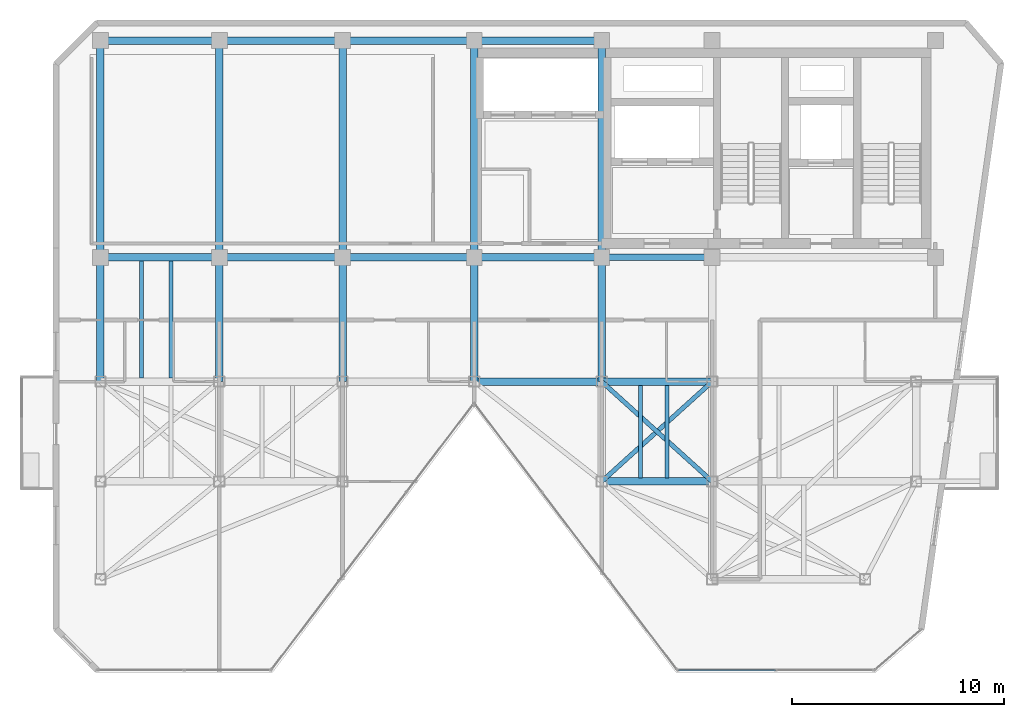
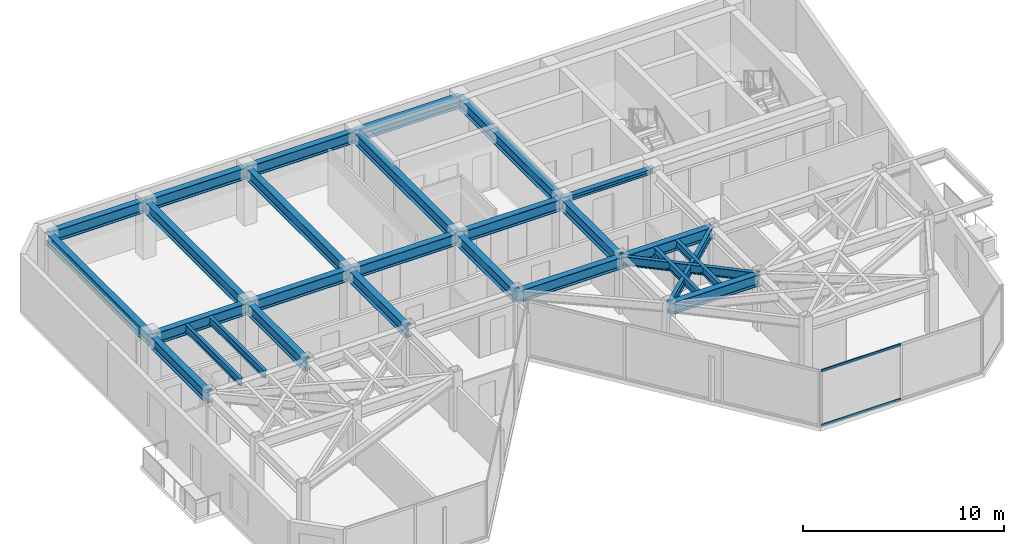
# One storey, part 8 of 17: 28 beams, 2 members, 1 element without a shape of its own.
"""IFC4 building model written with IfcOpenShell, lengths in metres."""

from ifc_helpers import new_model, si_unit, direction, frame, origin, origin_2d, place, context, subcontext, project, spatial, hollow_rectangle, i_section, extrude, material, layer, layer_set, material_profile, profile_set, type_object, element, aggregate, save


model = new_model("IFC4")

# Units and contexts
model_context = context("Model", 3, precision=1e-05, world=origin(), true_north=direction((0.0, 1.0)))
body_context = subcontext(model_context, "Body", "Model", "MODEL_VIEW")
ifc_project = project(units=[si_unit("LENGTHUNIT", "METRE"), si_unit("AREAUNIT", "SQUARE_METRE"), si_unit("VOLUMEUNIT", "CUBIC_METRE"), si_unit("PLANEANGLEUNIT", "RADIAN"), si_unit("MASSUNIT", "GRAM", prefix="KILO")], contexts=[model_context])

# Site, building, storey
site_placement = place(None, origin())
site = spatial("IfcSite", under=ifc_project, at=site_placement, CompositionType="ELEMENT")
building_placement = place(site_placement, origin())
building = spatial("IfcBuilding", under=site, at=building_placement, Name="Kravanh Interchange Tower", CompositionType="ELEMENT")
storey_placement = place(building_placement, frame((0.0, 0.0, 249.0)))
storey = spatial("IfcBuildingStorey", under=building, at=storey_placement, Name="L60", CompositionType="ELEMENT", Elevation=249.0)

# Curtain wall, members
ifc_material_1 = material(Name="Anodised Bronze Aluminium", Category="aluminium")
ifc_layer = layer(ifc_material_1, 0.179931640625)
ifc_layer_set = layer_set([ifc_layer], Name="Unitised Curtain Wall System CW-HTL Luxury Hotel")
curtain_wall_type = type_object("IfcCurtainWallType", Name="Unitised Curtain Wall System CW-HTL Luxury Hotel", PredefinedType="NOTDEFINED", material=ifc_layer_set)
curtain_wall_placement = place(storey_placement, origin())
curtain_wall = element("IfcCurtainWall", 1, at=curtain_wall_placement, inside=storey, type_object=curtain_wall_type, Name="L60 Unitised Curtain Wall CW-L60-02", PredefinedType="NOTDEFINED")
ifc_material_2 = material(Name="Anodised Bronze Aluminium", Category="aluminium")
ifc_material_profile_1 = material_profile(ifc_material_2, hollow_rectangle(XDim=0.06005859375, YDim=0.139892578125, WallThickness=0.00390625, at=origin_2d()), Name="ALU60X140X4")
ifc_profile_set_1 = profile_set([ifc_material_profile_1], Name="Anodised Bronze Aluminium")
member_type = type_object("IfcMemberType", Name="Curtain Wall Transom ALU60X140X4 Bronze", PredefinedType="USERDEFINED", material=ifc_profile_set_1)
member_1_placement = place(storey_placement, frame((58.969970703125, 17.919921875, 0.030029296875), z_axis=(-1.0, 0.0, 0.0), x_axis=(0.0, -1.0, 0.0)))
member_1 = element("IfcMember", 2, at=member_1_placement, type_object=member_type, Name="CW-HTL transom 2.1", ObjectType="TRANSOM", PredefinedType="USERDEFINED", context=body_context, shape_type="SweptSolid", body=[
    extrude(hollow_rectangle(XDim=0.06005859375, YDim=0.139892578125, WallThickness=0.00390625, at=origin_2d()), origin(), (0.0, 0.0, 1.0), 4.550537109375),
])
member_2_placement = place(storey_placement, frame((58.969970703125, 17.919921875, 3.330078125), z_axis=(-1.0, 0.0, 0.0), x_axis=(0.0, -1.0, 0.0)))
member_2 = element("IfcMember", 3, at=member_2_placement, type_object=member_type, Name="CW-HTL transom 2.2", ObjectType="TRANSOM", PredefinedType="USERDEFINED", context=body_context, shape_type="SweptSolid", body=[
    extrude(hollow_rectangle(XDim=0.06005859375, YDim=0.139892578125, WallThickness=0.00390625, at=origin_2d()), origin(), (0.0, 0.0, 1.0), 4.550537109375),
])
aggregate(curtain_wall, [member_1, member_2])

# Beams
ifc_material_3 = material(Name="Structural Steel S355", Category="steel")
ifc_material_profile_2 = material_profile(ifc_material_3, i_section(OverallWidth=0.35498046875, OverallDepth=0.696044921875, WebThickness=0.015380859375, FlangeThickness=0.02490234375, FilletRadius=0.02392578125, at=origin_2d()), Name="W27X146")
ifc_profile_set_2 = profile_set([ifc_material_profile_2], Name="Structural Steel S355")
beam_type_1 = type_object("IfcBeamType", Name="Floor Beam W27X146 Structural Steel S355", PredefinedType="BEAM", material=ifc_profile_set_2)
beam_1_placement = place(storey_placement, frame((44.800048828125, 31.5, 3.011962890625), z_axis=(0.0, 1.0, 0.0), x_axis=(-1.0, 0.0, 0.0)))
element("IfcBeam", 4, at=beam_1_placement, inside=storey, type_object=beam_type_1, Name="L60 Primary Floor Girder 1", PredefinedType="BEAM", context=body_context, shape_type="SweptSolid", body=[
    extrude(i_section(OverallWidth=0.35498046875, OverallDepth=0.696044921875, WebThickness=0.015380859375, FlangeThickness=0.02490234375, FilletRadius=0.02392578125, at=origin_2d()), origin(), (0.0, 0.0, 1.0), 5.85009765625),
])
beam_2_placement = place(storey_placement, frame((44.800048828125, 31.5, 3.011962890625), z_axis=(1.0, 0.0, 0.0), x_axis=(0.0, 1.0, 0.0)))
element("IfcBeam", 5, at=beam_2_placement, inside=storey, type_object=beam_type_1, Name="L60 Primary Floor Girder 2", PredefinedType="BEAM", context=body_context, shape_type="SweptSolid", body=[
    extrude(i_section(OverallWidth=0.35498046875, OverallDepth=0.696044921875, WebThickness=0.015380859375, FlangeThickness=0.02490234375, FilletRadius=0.02392578125, at=origin_2d()), origin(), (0.0, 0.0, 1.0), 6.0),
])
beam_3_placement = place(storey_placement, frame((50.800048828125, 31.5, 3.011962890625), z_axis=(1.0, 0.0, 0.0), x_axis=(0.0, 1.0, 0.0)))
element("IfcBeam", 6, at=beam_3_placement, inside=storey, type_object=beam_type_1, Name="L60 Primary Floor Girder 6", PredefinedType="BEAM", context=body_context, shape_type="SweptSolid", body=[
    extrude(i_section(OverallWidth=0.35498046875, OverallDepth=0.696044921875, WebThickness=0.015380859375, FlangeThickness=0.02490234375, FilletRadius=0.02392578125, at=origin_2d()), origin(), (0.0, 0.0, 1.0), 5.199951171875),
])
for number, where, z_axis, x_axis, name in (
    (7, (50.800048828125, 31.5, 3.011962890625), (0.0, 1.0, 0.0), (-1.0, 0.0, 0.0), "L60 Primary Floor Girder 7"),
    (8, (38.60009765625, 31.5, 3.011962890625), (0.0, 1.0, 0.0), (-1.0, 0.0, 0.0), "L60 Primary Floor Girder 19"),
    (9, (32.800048828125, 31.5, 3.011962890625), (0.0, 1.0, 0.0), (-1.0, 0.0, 0.0), "L60 Primary Floor Girder 23"),
    (10, (27.199951171875, 31.5, 3.011962890625), (0.0, 1.0, 0.0), (-1.0, 0.0, 0.0), "L60 Primary Floor Girder 26"),
):
    element("IfcBeam", number, at=place(storey_placement, frame(where, z_axis=z_axis, x_axis=x_axis)), inside=storey, type_object=beam_type_1, Name=name, PredefinedType="BEAM", context=body_context, shape_type="SweptSolid", body=[
        extrude(i_section(OverallWidth=0.35498046875, OverallDepth=0.696044921875, WebThickness=0.015380859375, FlangeThickness=0.02490234375, FilletRadius=0.02392578125, at=origin_2d()), origin(), (0.0, 0.0, 1.0), 5.85009765625),
    ])
beam_4_placement = place(storey_placement, frame((50.800048828125, 26.800048828125, 3.011962890625), z_axis=(1.0, 0.0, 0.0), x_axis=(0.0, 1.0, 0.0)))
element("IfcBeam", 11, at=beam_4_placement, inside=storey, type_object=beam_type_1, Name="L60 Primary Floor Girder 31", PredefinedType="BEAM", context=body_context, shape_type="SweptSolid", body=[
    extrude(i_section(OverallWidth=0.35498046875, OverallDepth=0.696044921875, WebThickness=0.015380859375, FlangeThickness=0.02490234375, FilletRadius=0.02392578125, at=origin_2d()), origin(), (0.0, 0.0, 1.0), 5.199951171875),
])
beam_5_placement = place(storey_placement, frame((50.800048828125, 47.550048828125, 3.011962890625), z_axis=(-1.0, 0.0, 0.0), x_axis=(0.0, -1.0, 0.0)))
element("IfcBeam", 12, at=beam_5_placement, inside=storey, type_object=beam_type_1, Name="L60 Primary Floor Girder 49", PredefinedType="BEAM", context=body_context, shape_type="SweptSolid", body=[
    extrude(i_section(OverallWidth=0.35498046875, OverallDepth=0.696044921875, WebThickness=0.015380859375, FlangeThickness=0.02490234375, FilletRadius=0.02392578125, at=origin_2d()), origin(), (0.0, 0.0, 1.0), 6.0),
])
beam_6_placement = place(storey_placement, frame((50.800048828125, 47.550048828125, 3.011962890625), z_axis=(0.0, -1.0, 0.0), x_axis=(1.0, 0.0, 0.0)))
element("IfcBeam", 13, at=beam_6_placement, inside=storey, type_object=beam_type_1, Name="L60 Primary Floor Girder 50", PredefinedType="BEAM", context=body_context, shape_type="SweptSolid", body=[
    extrude(i_section(OverallWidth=0.35498046875, OverallDepth=0.696044921875, WebThickness=0.015380859375, FlangeThickness=0.02490234375, FilletRadius=0.02392578125, at=origin_2d()), origin(), (0.0, 0.0, 1.0), 10.199951171875),
])
beam_7_placement = place(storey_placement, frame((50.800048828125, 37.35009765625, 3.011962890625), z_axis=(-1.0, 0.0, 0.0), x_axis=(0.0, -1.0, 0.0)))
element("IfcBeam", 14, at=beam_7_placement, inside=storey, type_object=beam_type_1, Name="L60 Primary Floor Girder 51", PredefinedType="BEAM", context=body_context, shape_type="SweptSolid", body=[
    extrude(i_section(OverallWidth=0.35498046875, OverallDepth=0.696044921875, WebThickness=0.015380859375, FlangeThickness=0.02490234375, FilletRadius=0.02392578125, at=origin_2d()), origin(), (0.0, 0.0, 1.0), 6.0),
])
beam_8_placement = place(storey_placement, frame((44.800048828125, 37.35009765625, 3.011962890625), z_axis=(-1.0, 0.0, 0.0), x_axis=(0.0, -1.0, 0.0)))
element("IfcBeam", 15, at=beam_8_placement, inside=storey, type_object=beam_type_1, Name="L60 Primary Floor Girder 52", PredefinedType="BEAM", context=body_context, shape_type="SweptSolid", body=[
    extrude(i_section(OverallWidth=0.35498046875, OverallDepth=0.696044921875, WebThickness=0.015380859375, FlangeThickness=0.02490234375, FilletRadius=0.02392578125, at=origin_2d()), origin(), (0.0, 0.0, 1.0), 6.199951171875),
])
beam_9_placement = place(storey_placement, frame((44.800048828125, 37.35009765625, 3.011962890625), z_axis=(0.0, 1.0, 0.0), x_axis=(-1.0, 0.0, 0.0)))
element("IfcBeam", 16, at=beam_9_placement, inside=storey, type_object=beam_type_1, Name="L60 Primary Floor Girder 53", PredefinedType="BEAM", context=body_context, shape_type="SweptSolid", body=[
    extrude(i_section(OverallWidth=0.35498046875, OverallDepth=0.696044921875, WebThickness=0.015380859375, FlangeThickness=0.02490234375, FilletRadius=0.02392578125, at=origin_2d()), origin(), (0.0, 0.0, 1.0), 10.199951171875),
])
beam_10_placement = place(storey_placement, frame((44.800048828125, 47.550048828125, 3.011962890625), z_axis=(-1.0, 0.0, 0.0), x_axis=(0.0, -1.0, 0.0)))
element("IfcBeam", 17, at=beam_10_placement, inside=storey, type_object=beam_type_1, Name="L60 Primary Floor Girder 54", PredefinedType="BEAM", context=body_context, shape_type="SweptSolid", body=[
    extrude(i_section(OverallWidth=0.35498046875, OverallDepth=0.696044921875, WebThickness=0.015380859375, FlangeThickness=0.02490234375, FilletRadius=0.02392578125, at=origin_2d()), origin(), (0.0, 0.0, 1.0), 6.199951171875),
])
beam_11_placement = place(storey_placement, frame((38.60009765625, 37.35009765625, 3.011962890625), z_axis=(-1.0, 0.0, 0.0), x_axis=(0.0, -1.0, 0.0)))
element("IfcBeam", 18, at=beam_11_placement, inside=storey, type_object=beam_type_1, Name="L60 Primary Floor Girder 55", PredefinedType="BEAM", context=body_context, shape_type="SweptSolid", body=[
    extrude(i_section(OverallWidth=0.35498046875, OverallDepth=0.696044921875, WebThickness=0.015380859375, FlangeThickness=0.02490234375, FilletRadius=0.02392578125, at=origin_2d()), origin(), (0.0, 0.0, 1.0), 5.800048828125),
])
beam_12_placement = place(storey_placement, frame((38.60009765625, 37.35009765625, 3.011962890625), z_axis=(0.0, 1.0, 0.0), x_axis=(-1.0, 0.0, 0.0)))
element("IfcBeam", 19, at=beam_12_placement, inside=storey, type_object=beam_type_1, Name="L60 Primary Floor Girder 56", PredefinedType="BEAM", context=body_context, shape_type="SweptSolid", body=[
    extrude(i_section(OverallWidth=0.35498046875, OverallDepth=0.696044921875, WebThickness=0.015380859375, FlangeThickness=0.02490234375, FilletRadius=0.02392578125, at=origin_2d()), origin(), (0.0, 0.0, 1.0), 10.199951171875),
])
beam_13_placement = place(storey_placement, frame((38.60009765625, 47.550048828125, 3.011962890625), z_axis=(-1.0, 0.0, 0.0), x_axis=(0.0, -1.0, 0.0)))
element("IfcBeam", 20, at=beam_13_placement, inside=storey, type_object=beam_type_1, Name="L60 Primary Floor Girder 57", PredefinedType="BEAM", context=body_context, shape_type="SweptSolid", body=[
    extrude(i_section(OverallWidth=0.35498046875, OverallDepth=0.696044921875, WebThickness=0.015380859375, FlangeThickness=0.02490234375, FilletRadius=0.02392578125, at=origin_2d()), origin(), (0.0, 0.0, 1.0), 5.800048828125),
])
beam_14_placement = place(storey_placement, frame((32.800048828125, 37.35009765625, 3.011962890625), z_axis=(-1.0, 0.0, 0.0), x_axis=(0.0, -1.0, 0.0)))
element("IfcBeam", 21, at=beam_14_placement, inside=storey, type_object=beam_type_1, Name="L60 Primary Floor Girder 58", PredefinedType="BEAM", context=body_context, shape_type="SweptSolid", body=[
    extrude(i_section(OverallWidth=0.35498046875, OverallDepth=0.696044921875, WebThickness=0.015380859375, FlangeThickness=0.02490234375, FilletRadius=0.02392578125, at=origin_2d()), origin(), (0.0, 0.0, 1.0), 5.60009765625),
])
beam_15_placement = place(storey_placement, frame((32.800048828125, 37.35009765625, 3.011962890625), z_axis=(0.0, 1.0, 0.0), x_axis=(-1.0, 0.0, 0.0)))
element("IfcBeam", 22, at=beam_15_placement, inside=storey, type_object=beam_type_1, Name="L60 Primary Floor Girder 59", PredefinedType="BEAM", context=body_context, shape_type="SweptSolid", body=[
    extrude(i_section(OverallWidth=0.35498046875, OverallDepth=0.696044921875, WebThickness=0.015380859375, FlangeThickness=0.02490234375, FilletRadius=0.02392578125, at=origin_2d()), origin(), (0.0, 0.0, 1.0), 10.199951171875),
])
beam_16_placement = place(storey_placement, frame((32.800048828125, 47.550048828125, 3.011962890625), z_axis=(-1.0, 0.0, 0.0), x_axis=(0.0, -1.0, 0.0)))
element("IfcBeam", 23, at=beam_16_placement, inside=storey, type_object=beam_type_1, Name="L60 Primary Floor Girder 60", PredefinedType="BEAM", context=body_context, shape_type="SweptSolid", body=[
    extrude(i_section(OverallWidth=0.35498046875, OverallDepth=0.696044921875, WebThickness=0.015380859375, FlangeThickness=0.02490234375, FilletRadius=0.02392578125, at=origin_2d()), origin(), (0.0, 0.0, 1.0), 5.60009765625),
])
beam_17_placement = place(storey_placement, frame((27.199951171875, 37.35009765625, 3.011962890625), z_axis=(0.0, 1.0, 0.0), x_axis=(-1.0, 0.0, 0.0)))
element("IfcBeam", 24, at=beam_17_placement, inside=storey, type_object=beam_type_1, Name="L60 Primary Floor Girder 61", PredefinedType="BEAM", context=body_context, shape_type="SweptSolid", body=[
    extrude(i_section(OverallWidth=0.35498046875, OverallDepth=0.696044921875, WebThickness=0.015380859375, FlangeThickness=0.02490234375, FilletRadius=0.02392578125, at=origin_2d()), origin(), (0.0, 0.0, 1.0), 10.199951171875),
])
ifc_material_4 = material(Name="Structural Steel S355", Category="steel")
ifc_material_profile_3 = material_profile(ifc_material_4, i_section(OverallWidth=0.18994140625, OverallDepth=0.45703125, WebThickness=0.009033203125, FlangeThickness=0.014404296875, FilletRadius=0.01806640625, at=origin_2d()), Name="W18X50")
ifc_profile_set_3 = profile_set([ifc_material_profile_3], Name="Structural Steel S355")
beam_type_2 = type_object("IfcBeamType", Name="Floor Joist W18X50 Structural Steel S355", PredefinedType="JOIST", material=ifc_profile_set_3)
for number, where, z_axis, x_axis, name in (
    (25, (52.6201171875, 26.972412109375, 3.131591796875), (0.0, 1.0, 0.0), (-1.0, 0.0, 0.0), "L60 Secondary Floor Joist 7"),
    (26, (53.867919921875, 26.972412109375, 3.131591796875), (0.0, 1.0, 0.0), (-1.0, 0.0, 0.0), "L60 Secondary Floor Joist 8"),
):
    element("IfcBeam", number, at=place(storey_placement, frame(where, z_axis=z_axis, x_axis=x_axis)), inside=storey, type_object=beam_type_2, Name=name, PredefinedType="JOIST", context=body_context, shape_type="SweptSolid", body=[
        extrude(i_section(OverallWidth=0.18994140625, OverallDepth=0.45703125, WebThickness=0.009033203125, FlangeThickness=0.014404296875, FilletRadius=0.01806640625, at=origin_2d()), origin(), (0.0, 0.0, 1.0), 4.35498046875),
    ])
for number, where, z_axis, x_axis, name in (
    (27, (29.139892578125, 31.672607421875, 3.131591796875), (0.0, 1.0, 0.0), (-1.0, 0.0, 0.0), "L60 Secondary Floor Joist 11"),
    (28, (30.51611328125, 31.672607421875, 3.131591796875), (0.0, 1.0, 0.0), (-1.0, 0.0, 0.0), "L60 Secondary Floor Joist 12"),
):
    element("IfcBeam", number, at=place(storey_placement, frame(where, z_axis=z_axis, x_axis=x_axis)), inside=storey, type_object=beam_type_2, Name=name, PredefinedType="JOIST", context=body_context, shape_type="SweptSolid", body=[
        extrude(i_section(OverallWidth=0.18994140625, OverallDepth=0.45703125, WebThickness=0.009033203125, FlangeThickness=0.014404296875, FilletRadius=0.01806640625, at=origin_2d()), origin(), (0.0, 0.0, 1.0), 5.5048828125),
    ])
ifc_material_5 = material(Name="Structural Steel S355", Category="steel")
ifc_material_profile_4 = material_profile(ifc_material_5, i_section(OverallWidth=0.304931640625, OverallDepth=0.306884765625, WebThickness=0.010009765625, FlangeThickness=0.015380859375, FilletRadius=0.014892578125, at=origin_2d()), Name="W12X65")
ifc_profile_set_4 = profile_set([ifc_material_profile_4], Name="Structural Steel S355")
beam_type_3 = type_object("IfcBeamType", Name="Floor Lintel W12X65 Structural Steel S355", PredefinedType="LINTEL", material=ifc_profile_set_4)
beam_18_placement = place(storey_placement, frame((50.800048828125, 37.35009765625, 3.20654296875), z_axis=(1.0, 0.0, 0.0), x_axis=(0.0, 1.0, 0.0)))
element("IfcBeam", 29, at=beam_18_placement, inside=storey, type_object=beam_type_3, Name="L60 Core Coupling Lintel 1", PredefinedType="LINTEL", context=body_context, shape_type="SweptSolid", body=[
    extrude(i_section(OverallWidth=0.304931640625, OverallDepth=0.306884765625, WebThickness=0.010009765625, FlangeThickness=0.015380859375, FilletRadius=0.014892578125, at=origin_2d()), origin(), (0.0, 0.0, 1.0), 5.199951171875),
])
ifc_material_6 = material(Name="Structural Steel S355", Category="steel")
ifc_material_profile_5 = material_profile(ifc_material_6, i_section(OverallWidth=0.2099609375, OverallDepth=0.537109375, WebThickness=0.010986328125, FlangeThickness=0.017333984375, FilletRadius=0.02001953125, at=origin_2d()), Name="W21X68")
ifc_profile_set_5 = profile_set([ifc_material_profile_5], Name="Structural Steel S355")
beam_type_4 = type_object("IfcBeamType", Name="Floor Spandrel W21X68 Structural Steel S355", PredefinedType="SPANDREL", material=ifc_profile_set_5)
for number, where, z_axis, x_axis, name in (
    (30, (50.800048828125, 31.5, 3.091552734375), (0.741874009795, -0.670539300557, 0.0), (0.670539300557, 0.741874009795, 0.0), "L60 Perimeter Spandrel 8"),
    (31, (56.0, 31.5, 3.091552734375), (-0.741874009795, -0.670539300557, 0.0), (0.670539300557, -0.741874009795, 0.0), "L60 Perimeter Spandrel 11"),
):
    element("IfcBeam", number, at=place(storey_placement, frame(where, z_axis=z_axis, x_axis=x_axis)), inside=storey, type_object=beam_type_4, Name=name, PredefinedType="SPANDREL", context=body_context, shape_type="SweptSolid", body=[
        extrude(i_section(OverallWidth=0.2099609375, OverallDepth=0.537109375, WebThickness=0.010986328125, FlangeThickness=0.017333984375, FilletRadius=0.02001953125, at=origin_2d()), origin(), (0.0, 0.0, 1.0), 7.00927734375),
    ])

save(model, "model.ifc")
